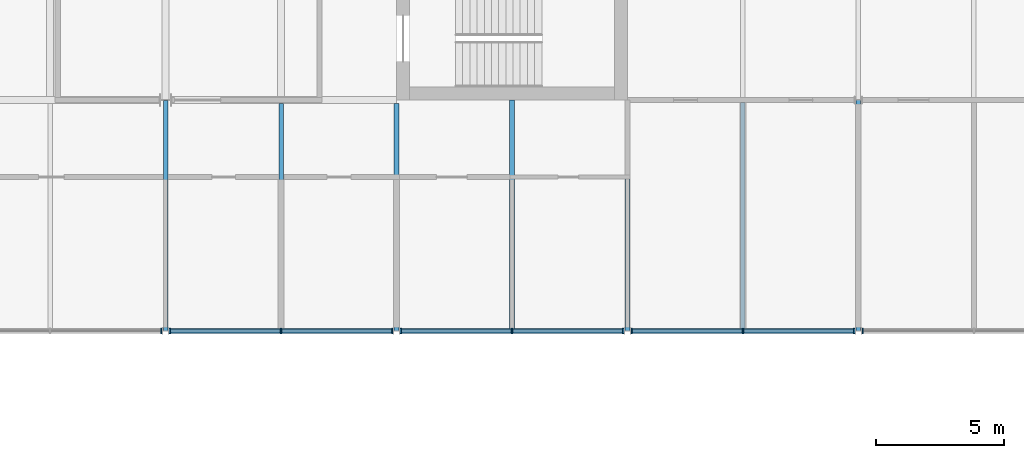
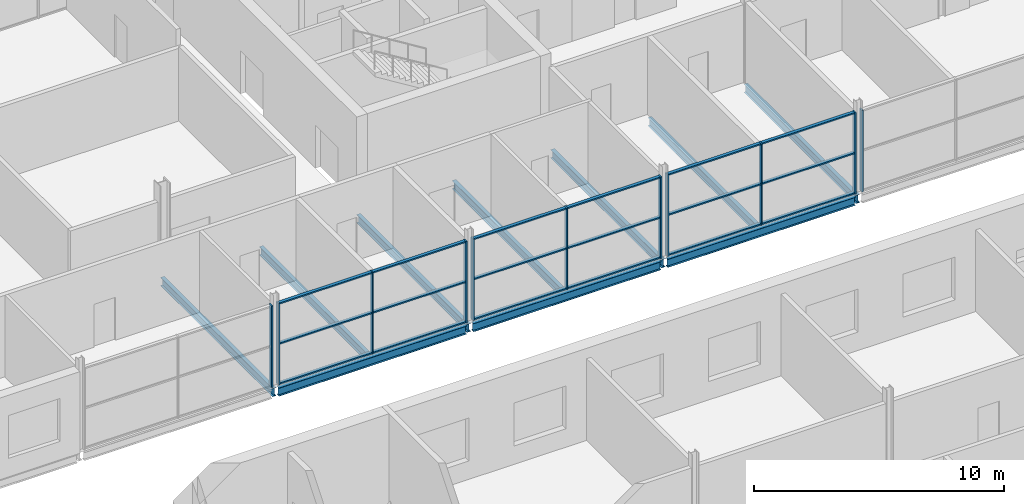
# One storey, part 41 of 97: 29 members, 10 beams, 5 elements without a shape of their own.
"""IFC4 building model written with IfcOpenShell, lengths in metres."""

from ifc_helpers import new_model, si_unit, direction, frame, origin, origin_2d, place, context, subcontext, project, spatial, rectangle, i_section, extrude, material, layer, layer_set, material_profile, profile_set, type_object, element, aggregate, save


model = new_model("IFC4")

# Units and contexts
model_context = context("Model", 3, precision=1e-05, world=origin(), true_north=direction((0.0, 1.0)))
body_context = subcontext(model_context, "Body", "Model", "MODEL_VIEW")
ifc_project = project(units=[si_unit("LENGTHUNIT", "METRE"), si_unit("AREAUNIT", "SQUARE_METRE"), si_unit("VOLUMEUNIT", "CUBIC_METRE"), si_unit("PLANEANGLEUNIT", "RADIAN"), si_unit("MASSUNIT", "GRAM", prefix="KILO")], contexts=[model_context])

# Site, building, storey
site_placement = place(None, origin())
site = spatial("IfcSite", under=ifc_project, at=site_placement, CompositionType="ELEMENT")
building_placement = place(site_placement, origin())
building = spatial("IfcBuilding", under=site, at=building_placement, Name="Corbel Yard City Hall", CompositionType="ELEMENT")
storey_placement = place(building_placement, frame((0.0, 0.0, 6.0)))
storey = spatial("IfcBuildingStorey", under=building, at=storey_placement, Name="L01", CompositionType="ELEMENT", Elevation=6.0)

# Beams
ifc_material_1 = material(Name="Steel Grade 300 (300 MPa yield)", Category="steel")
ifc_material_profile_1 = material_profile(ifc_material_1, i_section(OverallWidth=0.177978515625, OverallDepth=0.403076171875, WebThickness=0.007568359375, FlangeThickness=0.010986328125, at=origin_2d()), Name="410UB53.7")
ifc_profile_set_1 = profile_set([ifc_material_profile_1], Name="Steel Grade 300 (300 MPa yield)")
beam_type_1 = type_object("IfcBeamType", Name="Beam 410UB53.7", PredefinedType="BEAM", material=ifc_profile_set_1)
beam_1_placement = place(storey_placement, frame((36.0, 90.005859375, -0.3515625), z_axis=(0.0, 1.0, 0.0), x_axis=(-1.0, 0.0, 0.0)))
element("IfcBeam", 1, at=beam_1_placement, inside=storey, type_object=beam_type_1, Name="Beam 410UB53.7 SB6 L01floor", PredefinedType="BEAM", context=body_context, shape_type="SweptSolid", body=[
    extrude(i_section(OverallWidth=0.177978515625, OverallDepth=0.403076171875, WebThickness=0.007568359375, FlangeThickness=0.010986328125, at=origin_2d()), origin(), (0.0, 0.0, 1.0), 8.97412109375),
])
beam_2_placement = place(storey_placement, frame((45.0, 90.005859375, -0.3515625), z_axis=(0.0, 1.0, 0.0), x_axis=(-1.0, 0.0, 0.0)))
element("IfcBeam", 2, at=beam_2_placement, inside=storey, type_object=beam_type_1, Name="Beam 410UB53.7 SB6 L01floor", PredefinedType="BEAM", context=body_context, shape_type="SweptSolid", body=[
    extrude(i_section(OverallWidth=0.177978515625, OverallDepth=0.403076171875, WebThickness=0.007568359375, FlangeThickness=0.010986328125, at=origin_2d()), origin(), (0.0, 0.0, 1.0), 8.856689453125),
])
beam_3_placement = place(storey_placement, frame((54.0, 90.005859375, -0.3515625), z_axis=(0.0, 1.0, 0.0), x_axis=(-1.0, 0.0, 0.0)))
element("IfcBeam", 3, at=beam_3_placement, inside=storey, type_object=beam_type_1, Name="Beam 410UB53.7 SB6 L01floor", PredefinedType="BEAM", context=body_context, shape_type="SweptSolid", body=[
    extrude(i_section(OverallWidth=0.177978515625, OverallDepth=0.403076171875, WebThickness=0.007568359375, FlangeThickness=0.010986328125, at=origin_2d()), origin(), (0.0, 0.0, 1.0), 8.8896484375),
])
beam_4_placement = place(storey_placement, frame((63.0, 90.005859375, -0.3515625), z_axis=(0.0, 1.0, 0.0), x_axis=(-1.0, 0.0, 0.0)))
element("IfcBeam", 4, at=beam_4_placement, inside=storey, type_object=beam_type_1, Name="Beam 410UB53.7 SB6 L01floor", PredefinedType="BEAM", context=body_context, shape_type="SweptSolid", body=[
    extrude(i_section(OverallWidth=0.177978515625, OverallDepth=0.403076171875, WebThickness=0.007568359375, FlangeThickness=0.010986328125, at=origin_2d()), origin(), (0.0, 0.0, 1.0), 8.986328125),
])
ifc_material_profile_2 = material_profile(ifc_material_1, i_section(OverallWidth=0.177978515625, OverallDepth=0.406005859375, WebThickness=0.0078125, FlangeThickness=0.0126953125, at=origin_2d()), Name="410UB59.7")
ifc_profile_set_2 = profile_set([ifc_material_profile_2], Name="Steel Grade 300 (300 MPa yield)")
beam_type_2 = type_object("IfcBeamType", Name="Edge beam 410UB59.7", PredefinedType="BEAM", material=ifc_profile_set_2)
for number, where, z_axis, x_axis, name in (
    (5, (36.157470703125, 90.0, -0.35302734375), (1.0, 0.0, 0.0), (0.0, 1.0, 0.0), "Edge beam 410UB59.7 EB2 L01floor"),
    (6, (45.157470703125, 90.0, -0.35302734375), (1.0, 0.0, 0.0), (0.0, 1.0, 0.0), "Edge beam 410UB59.7 EB2 L01floor"),
    (7, (54.157470703125, 90.0, -0.35302734375), (1.0, 0.0, 0.0), (0.0, 1.0, 0.0), "Edge beam 410UB59.7 EB2 L01floor"),
):
    element("IfcBeam", number, at=place(storey_placement, frame(where, z_axis=z_axis, x_axis=x_axis)), inside=storey, type_object=beam_type_2, Name=name, PredefinedType="BEAM", context=body_context, shape_type="SweptSolid", body=[
        extrude(i_section(OverallWidth=0.177978515625, OverallDepth=0.406005859375, WebThickness=0.0078125, FlangeThickness=0.0126953125, at=origin_2d()), origin(), (0.0, 0.0, 1.0), 8.68505859375),
    ])

# Curtain wall, member
ifc_material_2 = material(Name="Aluminium extrusion", Category="aluminium")
ifc_layer = layer(ifc_material_2, 0.199951171875)
ifc_layer_set = layer_set([ifc_layer], Name="Aluminium extrusion")
curtain_wall_type = type_object("IfcCurtainWallType", Name="CW1", PredefinedType="USERDEFINED", material=ifc_layer_set)
curtain_wall_1_placement = place(storey_placement, origin())
curtain_wall_1 = element("IfcCurtainWall", 8, at=curtain_wall_1_placement, inside=storey, type_object=curtain_wall_type, Name="Curtain wall CW1 L01", ObjectType="CURTAIN WALL", PredefinedType="USERDEFINED")
ifc_material_profile_3 = material_profile(ifc_material_2, rectangle(XDim=0.199951171875, YDim=0.06494140625, at=origin_2d()), Name="200x65")
ifc_profile_set_3 = profile_set([ifc_material_profile_3], Name="Aluminium extrusion")
member_type_1 = type_object("IfcMemberType", Name="ML1", PredefinedType="MULLION", material=ifc_profile_set_3)
member_1_placement = place(storey_placement, frame((35.83740234375, 90.0, 0.0), z_axis=(0.0, 0.0, 1.0), x_axis=(0.0, 1.0, 0.0)))
member_1 = element("IfcMember", 9, at=member_1_placement, type_object=member_type_1, Name="CW1 mullion 3", PredefinedType="MULLION", context=body_context, shape_type="SweptSolid", body=[
    extrude(rectangle(XDim=0.199951171875, YDim=0.06494140625, at=origin_2d()), origin(), (0.0, 0.0, 1.0), 3.990966796875),
])
aggregate(curtain_wall_1, [member_1])

# Curtain wall, members
curtain_wall_2_placement = place(storey_placement, origin())
curtain_wall_2 = element("IfcCurtainWall", 10, at=curtain_wall_2_placement, inside=storey, type_object=curtain_wall_type, Name="Curtain wall CW1 L01", ObjectType="CURTAIN WALL", PredefinedType="USERDEFINED")
member_2_placement = place(storey_placement, frame((36.16259765625, 90.0, 0.0), z_axis=(0.0, 0.0, 1.0), x_axis=(0.0, 1.0, 0.0)))
member_2 = element("IfcMember", 11, at=member_2_placement, type_object=member_type_1, Name="CW1 mullion 1", PredefinedType="MULLION", context=body_context, shape_type="SweptSolid", body=[
    extrude(rectangle(XDim=0.199951171875, YDim=0.06494140625, at=origin_2d()), origin(), (0.0, 0.0, 1.0), 3.990966796875),
])
member_3_placement = place(storey_placement, frame((40.5, 90.0, 0.0), z_axis=(0.0, 0.0, 1.0), x_axis=(0.0, 1.0, 0.0)))
member_3 = element("IfcMember", 12, at=member_3_placement, type_object=member_type_1, Name="CW1 mullion 2", PredefinedType="MULLION", context=body_context, shape_type="SweptSolid", body=[
    extrude(rectangle(XDim=0.199951171875, YDim=0.06494140625, at=origin_2d()), origin(), (0.0, 0.0, 1.0), 3.990966796875),
])
member_4_placement = place(storey_placement, frame((44.83740234375, 90.0, 0.0), z_axis=(0.0, 0.0, 1.0), x_axis=(0.0, 1.0, 0.0)))
member_4 = element("IfcMember", 13, at=member_4_placement, type_object=member_type_1, Name="CW1 mullion 3", PredefinedType="MULLION", context=body_context, shape_type="SweptSolid", body=[
    extrude(rectangle(XDim=0.199951171875, YDim=0.06494140625, at=origin_2d()), origin(), (0.0, 0.0, 1.0), 3.990966796875),
])

curtain_wall_3_placement = place(storey_placement, origin())
curtain_wall_3 = element("IfcCurtainWall", 14, at=curtain_wall_3_placement, inside=storey, type_object=curtain_wall_type, Name="Curtain wall CW1 L01", ObjectType="CURTAIN WALL", PredefinedType="USERDEFINED")
member_5_placement = place(storey_placement, frame((45.16259765625, 90.0, 0.0), z_axis=(0.0, 0.0, 1.0), x_axis=(0.0, 1.0, 0.0)))
member_5 = element("IfcMember", 15, at=member_5_placement, type_object=member_type_1, Name="CW1 mullion 1", PredefinedType="MULLION", context=body_context, shape_type="SweptSolid", body=[
    extrude(rectangle(XDim=0.199951171875, YDim=0.06494140625, at=origin_2d()), origin(), (0.0, 0.0, 1.0), 3.990966796875),
])
member_6_placement = place(storey_placement, frame((49.5, 90.0, 0.0), z_axis=(0.0, 0.0, 1.0), x_axis=(0.0, 1.0, 0.0)))
member_6 = element("IfcMember", 16, at=member_6_placement, type_object=member_type_1, Name="CW1 mullion 2", PredefinedType="MULLION", context=body_context, shape_type="SweptSolid", body=[
    extrude(rectangle(XDim=0.199951171875, YDim=0.06494140625, at=origin_2d()), origin(), (0.0, 0.0, 1.0), 3.990966796875),
])
member_7_placement = place(storey_placement, frame((53.83740234375, 90.0, 0.0), z_axis=(0.0, 0.0, 1.0), x_axis=(0.0, 1.0, 0.0)))
member_7 = element("IfcMember", 17, at=member_7_placement, type_object=member_type_1, Name="CW1 mullion 3", PredefinedType="MULLION", context=body_context, shape_type="SweptSolid", body=[
    extrude(rectangle(XDim=0.199951171875, YDim=0.06494140625, at=origin_2d()), origin(), (0.0, 0.0, 1.0), 3.990966796875),
])

curtain_wall_4_placement = place(storey_placement, origin())
curtain_wall_4 = element("IfcCurtainWall", 18, at=curtain_wall_4_placement, inside=storey, type_object=curtain_wall_type, Name="Curtain wall CW1 L01", ObjectType="CURTAIN WALL", PredefinedType="USERDEFINED")
member_8_placement = place(storey_placement, frame((54.16259765625, 90.0, 0.0), z_axis=(0.0, 0.0, 1.0), x_axis=(0.0, 1.0, 0.0)))
member_8 = element("IfcMember", 19, at=member_8_placement, type_object=member_type_1, Name="CW1 mullion 1", PredefinedType="MULLION", context=body_context, shape_type="SweptSolid", body=[
    extrude(rectangle(XDim=0.199951171875, YDim=0.06494140625, at=origin_2d()), origin(), (0.0, 0.0, 1.0), 3.990966796875),
])
member_9_placement = place(storey_placement, frame((58.5, 90.0, 0.0), z_axis=(0.0, 0.0, 1.0), x_axis=(0.0, 1.0, 0.0)))
member_9 = element("IfcMember", 20, at=member_9_placement, type_object=member_type_1, Name="CW1 mullion 2", PredefinedType="MULLION", context=body_context, shape_type="SweptSolid", body=[
    extrude(rectangle(XDim=0.199951171875, YDim=0.06494140625, at=origin_2d()), origin(), (0.0, 0.0, 1.0), 3.990966796875),
])
member_10_placement = place(storey_placement, frame((62.83740234375, 90.0, 0.0), z_axis=(0.0, 0.0, 1.0), x_axis=(0.0, 1.0, 0.0)))
member_10 = element("IfcMember", 21, at=member_10_placement, type_object=member_type_1, Name="CW1 mullion 3", PredefinedType="MULLION", context=body_context, shape_type="SweptSolid", body=[
    extrude(rectangle(XDim=0.199951171875, YDim=0.06494140625, at=origin_2d()), origin(), (0.0, 0.0, 1.0), 3.990966796875),
])

# Curtain wall, member
curtain_wall_5_placement = place(storey_placement, origin())
curtain_wall_5 = element("IfcCurtainWall", 22, at=curtain_wall_5_placement, inside=storey, type_object=curtain_wall_type, Name="Curtain wall CW1 L01", ObjectType="CURTAIN WALL", PredefinedType="USERDEFINED")
member_11_placement = place(storey_placement, frame((63.16259765625, 90.0, 0.0), z_axis=(0.0, 0.0, 1.0), x_axis=(0.0, 1.0, 0.0)))
member_11 = element("IfcMember", 23, at=member_11_placement, type_object=member_type_1, Name="CW1 mullion 1", PredefinedType="MULLION", context=body_context, shape_type="SweptSolid", body=[
    extrude(rectangle(XDim=0.199951171875, YDim=0.06494140625, at=origin_2d()), origin(), (0.0, 0.0, 1.0), 3.990966796875),
])
aggregate(curtain_wall_5, [member_11])

# Beams
ifc_material_profile_4 = material_profile(ifc_material_1, i_section(OverallWidth=0.177978515625, OverallDepth=0.403076171875, WebThickness=0.007568359375, FlangeThickness=0.010986328125, at=origin_2d()), Name="410UB53.7")
ifc_profile_set_4 = profile_set([ifc_material_profile_4], Name="Steel Grade 300 (300 MPa yield)")
beam_type_3 = type_object("IfcBeamType", Name="Secondary beam 410UB53.7", PredefinedType="JOIST", material=ifc_profile_set_4)
beam_5_placement = place(storey_placement, frame((40.5, 90.089111328125, -0.3515625), z_axis=(0.0, 1.0, 0.0), x_axis=(-1.0, 0.0, 0.0)))
element("IfcBeam", 24, at=beam_5_placement, inside=storey, type_object=beam_type_3, Name="Secondary beam 410UB53.7 SB5 L01floor", PredefinedType="JOIST", context=body_context, shape_type="SweptSolid", body=[
    extrude(i_section(OverallWidth=0.177978515625, OverallDepth=0.403076171875, WebThickness=0.007568359375, FlangeThickness=0.010986328125, at=origin_2d()), origin(), (0.0, 0.0, 1.0), 8.7734375),
])
beam_6_placement = place(storey_placement, frame((49.5, 90.089111328125, -0.3515625), z_axis=(0.0, 1.0, 0.0), x_axis=(-1.0, 0.0, 0.0)))
element("IfcBeam", 25, at=beam_6_placement, inside=storey, type_object=beam_type_3, Name="Secondary beam 410UB53.7 SB5 L01floor", PredefinedType="JOIST", context=body_context, shape_type="SweptSolid", body=[
    extrude(i_section(OverallWidth=0.177978515625, OverallDepth=0.403076171875, WebThickness=0.007568359375, FlangeThickness=0.010986328125, at=origin_2d()), origin(), (0.0, 0.0, 1.0), 8.910888671875),
])
beam_7_placement = place(storey_placement, frame((58.5, 90.089111328125, -0.3515625), z_axis=(0.0, 1.0, 0.0), x_axis=(-1.0, 0.0, 0.0)))
element("IfcBeam", 26, at=beam_7_placement, inside=storey, type_object=beam_type_3, Name="Secondary beam 410UB53.7 SB5 L01floor", PredefinedType="JOIST", context=body_context, shape_type="SweptSolid", body=[
    extrude(i_section(OverallWidth=0.177978515625, OverallDepth=0.403076171875, WebThickness=0.007568359375, FlangeThickness=0.010986328125, at=origin_2d()), origin(), (0.0, 0.0, 1.0), 8.806396484375),
])

# Member
ifc_material_profile_5 = material_profile(ifc_material_2, rectangle(XDim=0.14990234375, YDim=0.06494140625, at=origin_2d()), Name="150x65")
ifc_profile_set_5 = profile_set([ifc_material_profile_5], Name="Aluminium extrusion")
member_type_2 = type_object("IfcMemberType", Name="TR1", PredefinedType="USERDEFINED", material=ifc_profile_set_5)
member_12_placement = place(storey_placement, frame((36.195068359375, 90.0, 0.032470703125), z_axis=(1.0, 0.0, 0.0), x_axis=(0.0, 1.0, 0.0)))
member_12 = element("IfcMember", 27, at=member_12_placement, type_object=member_type_2, Name="CW1 transom 1.1", ObjectType="TRANSOM", PredefinedType="USERDEFINED", context=body_context, shape_type="SweptSolid", body=[
    extrude(rectangle(XDim=0.14990234375, YDim=0.06494140625, at=origin_2d()), origin(), (0.0, 0.0, 1.0), 4.2724609375),
])

member_13_placement = place(storey_placement, frame((36.195068359375, 90.0, 1.99560546875), z_axis=(1.0, 0.0, 0.0), x_axis=(0.0, 1.0, 0.0)))
member_13 = element("IfcMember", 28, at=member_13_placement, type_object=member_type_2, Name="CW1 transom 1.2", ObjectType="TRANSOM", PredefinedType="USERDEFINED", context=body_context, shape_type="SweptSolid", body=[
    extrude(rectangle(XDim=0.14990234375, YDim=0.06494140625, at=origin_2d()), origin(), (0.0, 0.0, 1.0), 4.2724609375),
])

member_14_placement = place(storey_placement, frame((36.195068359375, 90.0, 3.95849609375), z_axis=(1.0, 0.0, 0.0), x_axis=(0.0, 1.0, 0.0)))
member_14 = element("IfcMember", 29, at=member_14_placement, type_object=member_type_2, Name="CW1 transom 1.3", ObjectType="TRANSOM", PredefinedType="USERDEFINED", context=body_context, shape_type="SweptSolid", body=[
    extrude(rectangle(XDim=0.14990234375, YDim=0.06494140625, at=origin_2d()), origin(), (0.0, 0.0, 1.0), 4.2724609375),
])

member_15_placement = place(storey_placement, frame((40.532470703125, 90.0, 0.032470703125), z_axis=(1.0, 0.0, 0.0), x_axis=(0.0, 1.0, 0.0)))
member_15 = element("IfcMember", 30, at=member_15_placement, type_object=member_type_2, Name="CW1 transom 2.1", ObjectType="TRANSOM", PredefinedType="USERDEFINED", context=body_context, shape_type="SweptSolid", body=[
    extrude(rectangle(XDim=0.14990234375, YDim=0.06494140625, at=origin_2d()), origin(), (0.0, 0.0, 1.0), 4.2724609375),
])

member_16_placement = place(storey_placement, frame((40.532470703125, 90.0, 1.99560546875), z_axis=(1.0, 0.0, 0.0), x_axis=(0.0, 1.0, 0.0)))
member_16 = element("IfcMember", 31, at=member_16_placement, type_object=member_type_2, Name="CW1 transom 2.2", ObjectType="TRANSOM", PredefinedType="USERDEFINED", context=body_context, shape_type="SweptSolid", body=[
    extrude(rectangle(XDim=0.14990234375, YDim=0.06494140625, at=origin_2d()), origin(), (0.0, 0.0, 1.0), 4.2724609375),
])

member_17_placement = place(storey_placement, frame((40.532470703125, 90.0, 3.95849609375), z_axis=(1.0, 0.0, 0.0), x_axis=(0.0, 1.0, 0.0)))
member_17 = element("IfcMember", 32, at=member_17_placement, type_object=member_type_2, Name="CW1 transom 2.3", ObjectType="TRANSOM", PredefinedType="USERDEFINED", context=body_context, shape_type="SweptSolid", body=[
    extrude(rectangle(XDim=0.14990234375, YDim=0.06494140625, at=origin_2d()), origin(), (0.0, 0.0, 1.0), 4.2724609375),
])

aggregate(curtain_wall_2, [member_2, member_3, member_4, member_12, member_13, member_14, member_15, member_16, member_17])

member_18_placement = place(storey_placement, frame((45.195068359375, 90.0, 0.032470703125), z_axis=(1.0, 0.0, 0.0), x_axis=(0.0, 1.0, 0.0)))
member_18 = element("IfcMember", 33, at=member_18_placement, type_object=member_type_2, Name="CW1 transom 1.1", ObjectType="TRANSOM", PredefinedType="USERDEFINED", context=body_context, shape_type="SweptSolid", body=[
    extrude(rectangle(XDim=0.14990234375, YDim=0.06494140625, at=origin_2d()), origin(), (0.0, 0.0, 1.0), 4.2724609375),
])

member_19_placement = place(storey_placement, frame((45.195068359375, 90.0, 1.99560546875), z_axis=(1.0, 0.0, 0.0), x_axis=(0.0, 1.0, 0.0)))
member_19 = element("IfcMember", 34, at=member_19_placement, type_object=member_type_2, Name="CW1 transom 1.2", ObjectType="TRANSOM", PredefinedType="USERDEFINED", context=body_context, shape_type="SweptSolid", body=[
    extrude(rectangle(XDim=0.14990234375, YDim=0.06494140625, at=origin_2d()), origin(), (0.0, 0.0, 1.0), 4.2724609375),
])

member_20_placement = place(storey_placement, frame((45.195068359375, 90.0, 3.95849609375), z_axis=(1.0, 0.0, 0.0), x_axis=(0.0, 1.0, 0.0)))
member_20 = element("IfcMember", 35, at=member_20_placement, type_object=member_type_2, Name="CW1 transom 1.3", ObjectType="TRANSOM", PredefinedType="USERDEFINED", context=body_context, shape_type="SweptSolid", body=[
    extrude(rectangle(XDim=0.14990234375, YDim=0.06494140625, at=origin_2d()), origin(), (0.0, 0.0, 1.0), 4.2724609375),
])

member_21_placement = place(storey_placement, frame((49.532470703125, 90.0, 0.032470703125), z_axis=(1.0, 0.0, 0.0), x_axis=(0.0, 1.0, 0.0)))
member_21 = element("IfcMember", 36, at=member_21_placement, type_object=member_type_2, Name="CW1 transom 2.1", ObjectType="TRANSOM", PredefinedType="USERDEFINED", context=body_context, shape_type="SweptSolid", body=[
    extrude(rectangle(XDim=0.14990234375, YDim=0.06494140625, at=origin_2d()), origin(), (0.0, 0.0, 1.0), 4.2724609375),
])

member_22_placement = place(storey_placement, frame((49.532470703125, 90.0, 1.99560546875), z_axis=(1.0, 0.0, 0.0), x_axis=(0.0, 1.0, 0.0)))
member_22 = element("IfcMember", 37, at=member_22_placement, type_object=member_type_2, Name="CW1 transom 2.2", ObjectType="TRANSOM", PredefinedType="USERDEFINED", context=body_context, shape_type="SweptSolid", body=[
    extrude(rectangle(XDim=0.14990234375, YDim=0.06494140625, at=origin_2d()), origin(), (0.0, 0.0, 1.0), 4.2724609375),
])

member_23_placement = place(storey_placement, frame((49.532470703125, 90.0, 3.95849609375), z_axis=(1.0, 0.0, 0.0), x_axis=(0.0, 1.0, 0.0)))
member_23 = element("IfcMember", 38, at=member_23_placement, type_object=member_type_2, Name="CW1 transom 2.3", ObjectType="TRANSOM", PredefinedType="USERDEFINED", context=body_context, shape_type="SweptSolid", body=[
    extrude(rectangle(XDim=0.14990234375, YDim=0.06494140625, at=origin_2d()), origin(), (0.0, 0.0, 1.0), 4.2724609375),
])

aggregate(curtain_wall_3, [member_5, member_6, member_7, member_18, member_19, member_20, member_21, member_22, member_23])

member_24_placement = place(storey_placement, frame((54.195068359375, 90.0, 0.032470703125), z_axis=(1.0, 0.0, 0.0), x_axis=(0.0, 1.0, 0.0)))
member_24 = element("IfcMember", 39, at=member_24_placement, type_object=member_type_2, Name="CW1 transom 1.1", ObjectType="TRANSOM", PredefinedType="USERDEFINED", context=body_context, shape_type="SweptSolid", body=[
    extrude(rectangle(XDim=0.14990234375, YDim=0.06494140625, at=origin_2d()), origin(), (0.0, 0.0, 1.0), 4.2724609375),
])

member_25_placement = place(storey_placement, frame((54.195068359375, 90.0, 1.99560546875), z_axis=(1.0, 0.0, 0.0), x_axis=(0.0, 1.0, 0.0)))
member_25 = element("IfcMember", 40, at=member_25_placement, type_object=member_type_2, Name="CW1 transom 1.2", ObjectType="TRANSOM", PredefinedType="USERDEFINED", context=body_context, shape_type="SweptSolid", body=[
    extrude(rectangle(XDim=0.14990234375, YDim=0.06494140625, at=origin_2d()), origin(), (0.0, 0.0, 1.0), 4.2724609375),
])

member_26_placement = place(storey_placement, frame((54.195068359375, 90.0, 3.95849609375), z_axis=(1.0, 0.0, 0.0), x_axis=(0.0, 1.0, 0.0)))
member_26 = element("IfcMember", 41, at=member_26_placement, type_object=member_type_2, Name="CW1 transom 1.3", ObjectType="TRANSOM", PredefinedType="USERDEFINED", context=body_context, shape_type="SweptSolid", body=[
    extrude(rectangle(XDim=0.14990234375, YDim=0.06494140625, at=origin_2d()), origin(), (0.0, 0.0, 1.0), 4.2724609375),
])

member_27_placement = place(storey_placement, frame((58.532470703125, 90.0, 0.032470703125), z_axis=(1.0, 0.0, 0.0), x_axis=(0.0, 1.0, 0.0)))
member_27 = element("IfcMember", 42, at=member_27_placement, type_object=member_type_2, Name="CW1 transom 2.1", ObjectType="TRANSOM", PredefinedType="USERDEFINED", context=body_context, shape_type="SweptSolid", body=[
    extrude(rectangle(XDim=0.14990234375, YDim=0.06494140625, at=origin_2d()), origin(), (0.0, 0.0, 1.0), 4.2724609375),
])

member_28_placement = place(storey_placement, frame((58.532470703125, 90.0, 1.99560546875), z_axis=(1.0, 0.0, 0.0), x_axis=(0.0, 1.0, 0.0)))
member_28 = element("IfcMember", 43, at=member_28_placement, type_object=member_type_2, Name="CW1 transom 2.2", ObjectType="TRANSOM", PredefinedType="USERDEFINED", context=body_context, shape_type="SweptSolid", body=[
    extrude(rectangle(XDim=0.14990234375, YDim=0.06494140625, at=origin_2d()), origin(), (0.0, 0.0, 1.0), 4.2724609375),
])

member_29_placement = place(storey_placement, frame((58.532470703125, 90.0, 3.95849609375), z_axis=(1.0, 0.0, 0.0), x_axis=(0.0, 1.0, 0.0)))
member_29 = element("IfcMember", 44, at=member_29_placement, type_object=member_type_2, Name="CW1 transom 2.3", ObjectType="TRANSOM", PredefinedType="USERDEFINED", context=body_context, shape_type="SweptSolid", body=[
    extrude(rectangle(XDim=0.14990234375, YDim=0.06494140625, at=origin_2d()), origin(), (0.0, 0.0, 1.0), 4.2724609375),
])

aggregate(curtain_wall_4, [member_8, member_9, member_10, member_24, member_25, member_26, member_27, member_28, member_29])

save(model, "model.ifc")
